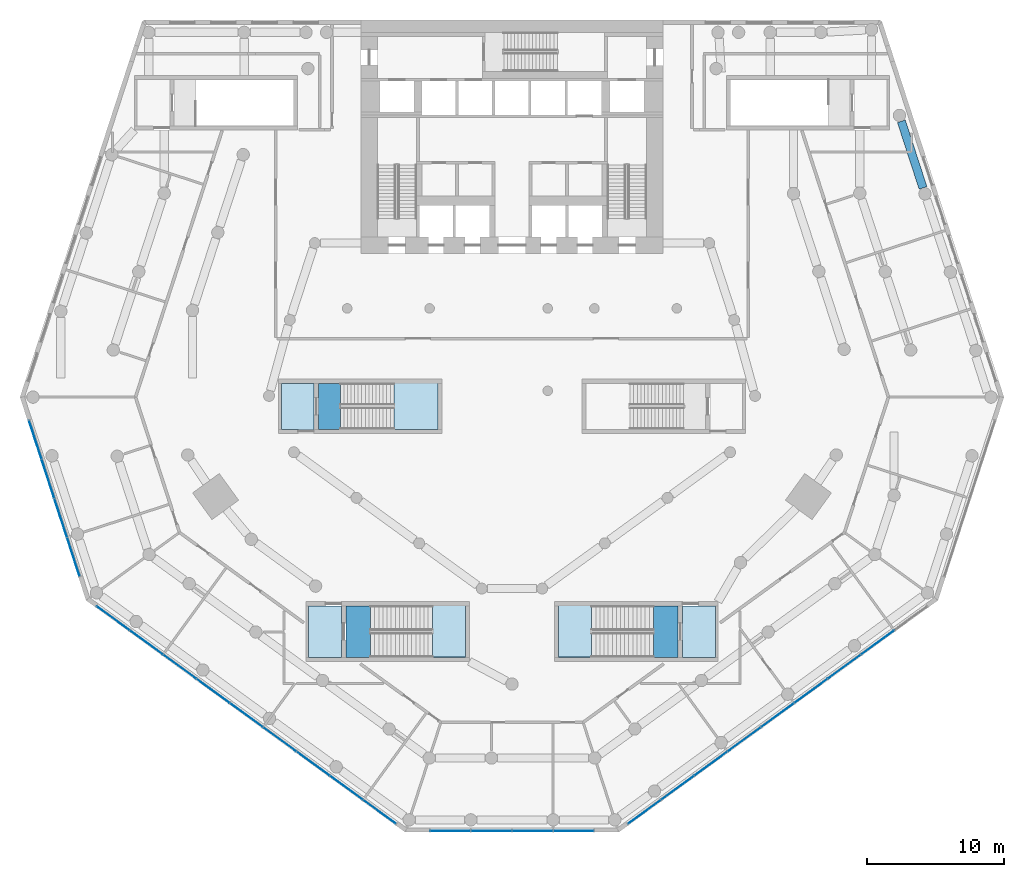
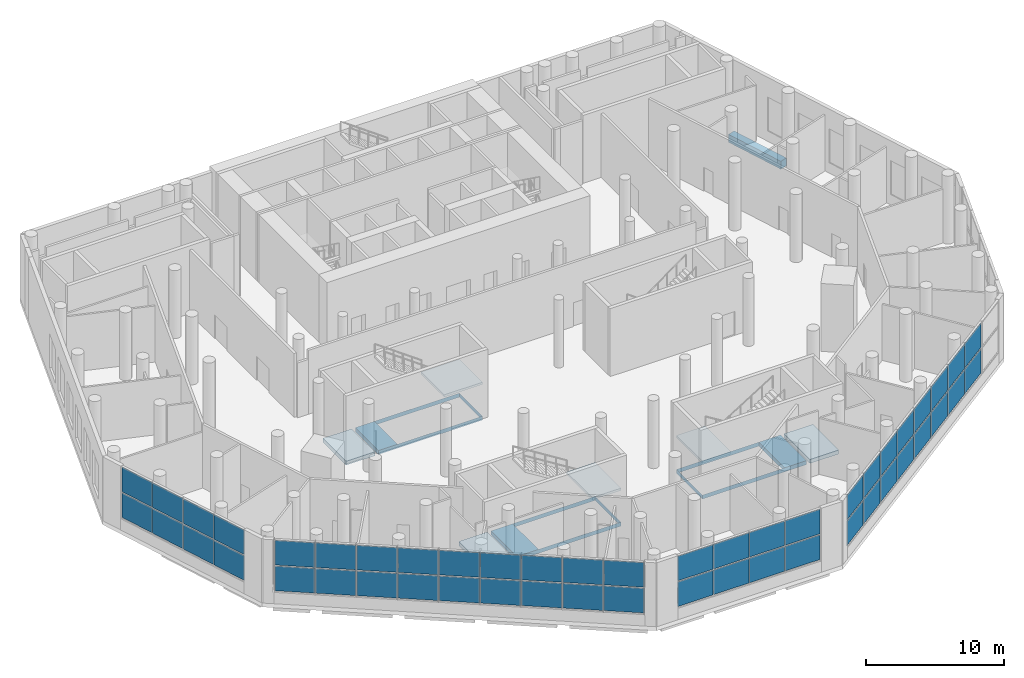
# One storey, part 8 of 19: 50 plates, 9 slabs, 1 beam, 7 elements without a shape of their own.
"""IFC4 building model written with IfcOpenShell, lengths in metres."""

from ifc_helpers import new_model, si_unit, direction, frame, origin, origin_2d, place, context, subcontext, project, spatial, polyline, rectangle, outline, extrude, material, layer, layer_set, material_profile, profile_set, type_object, element, aggregate, save


model = new_model("IFC4")

# Units and contexts
model_context = context("Model", 3, precision=1e-05, world=origin(), true_north=direction((0.0, 1.0)))
body_context = subcontext(model_context, "Body", "Model", "MODEL_VIEW")
ifc_project = project(units=[si_unit("LENGTHUNIT", "METRE"), si_unit("AREAUNIT", "SQUARE_METRE"), si_unit("VOLUMEUNIT", "CUBIC_METRE"), si_unit("PLANEANGLEUNIT", "RADIAN"), si_unit("MASSUNIT", "GRAM", prefix="KILO")], contexts=[model_context])

# Site, building, storey
site_placement = place(None, origin())
site = spatial("IfcSite", under=ifc_project, at=site_placement, CompositionType="ELEMENT")
building_placement = place(site_placement, origin())
building = spatial("IfcBuilding", under=site, at=building_placement, Name="White Candle Pilgrim Tower", CompositionType="ELEMENT")
storey_placement = place(building_placement, frame((0.0, 0.0, 23.0)))
storey = spatial("IfcBuildingStorey", under=building, at=storey_placement, Name="L03", CompositionType="ELEMENT", Elevation=23.0)

# Beam
ifc_material_1 = material(Name="Concrete C50/60", Category="concrete")
ifc_material_profile = material_profile(ifc_material_1, rectangle(XDim=0.60009765625, YDim=0.699951171875, at=origin_2d()), Name="RC-BM 600x700")
ifc_profile_set = profile_set([ifc_material_profile], Name="Concrete C50/60")
beam_type = type_object("IfcBeamType", Name="Spandrel beam RC-BM 600x700 C50/60", PredefinedType="BEAM", material=ifc_profile_set)
beam_placement = place(storey_placement, frame((99.926025390625, 75.773681640625, -0.699951171875), z_axis=(-0.308995149369, 0.95106361389, 0.0), x_axis=(-0.95106361389, -0.308995149369, 0.0)))
element("IfcBeam", 1, at=beam_placement, inside=storey, type_object=beam_type, Name="L03 spandrel beam B21", PredefinedType="BEAM", context=body_context, shape_type="SweptSolid", body=[
    extrude(rectangle(XDim=0.60009765625, YDim=0.699951171875, at=origin_2d()), origin(), (0.0, 0.0, 1.0), 5.10009765625),
])

# Curtain wall, plates
ifc_material_2 = material(Name="Aluminium and glass", Category="aluminium")
curtain_wall_type = type_object("IfcCurtainWallType", Name="Curtain wall CW2 prayer hall clerestory", PredefinedType="NOTDEFINED", material=ifc_material_2)
curtain_wall_1_placement = place(storey_placement, origin())
curtain_wall_1 = element("IfcCurtainWall", 2, at=curtain_wall_1_placement, inside=storey, type_object=curtain_wall_type, Name="Curtain wall CW2 L03 W chamfer", PredefinedType="NOTDEFINED")
ifc_material_3 = material(Name="Glass, triple glazed", Category="glass")
ifc_layer_1 = layer(ifc_material_3, 0.035888671875)
ifc_layer_set_1 = layer_set([ifc_layer_1], Name="CW2 glazing panel 36")
plate_type = type_object("IfcPlateType", Name="CW2 glazing panel 36", PredefinedType="CURTAIN_PANEL", material=ifc_layer_set_1)
plate_1_placement = place(storey_placement, frame((35.289306640625, 57.440185546875, 1.10009765625), z_axis=(0.0, 0.0, 1.0), x_axis=(0.309017000085, -0.95105651444, 0.0)))
plate_1 = element("IfcPlate", 3, at=plate_1_placement, type_object=plate_type, Name="CW2 panel 1.1", PredefinedType="CURTAIN_PANEL", context=body_context, shape_type="SweptSolid", body=[
    extrude(rectangle(XDim=2.925048828125, YDim=0.035888671875, at=origin_2d()), origin(), (0.0, 0.0, 1.0), 2.175048828125),
])
plate_2_placement = place(storey_placement, frame((35.289306640625, 57.440185546875, 3.375), z_axis=(0.0, 0.0, 1.0), x_axis=(0.309017000085, -0.95105651444, 0.0)))
plate_2 = element("IfcPlate", 4, at=plate_2_placement, type_object=plate_type, Name="CW2 panel 1.2", PredefinedType="CURTAIN_PANEL", context=body_context, shape_type="SweptSolid", body=[
    extrude(rectangle(XDim=2.925048828125, YDim=0.035888671875, at=origin_2d()), origin(), (0.0, 0.0, 1.0), 2.175048828125),
])
plate_3_placement = place(storey_placement, frame((36.21240234375, 54.598876953125, 1.10009765625), z_axis=(0.0, 0.0, 1.0), x_axis=(0.309017000085, -0.95105651444, 0.0)))
plate_3 = element("IfcPlate", 5, at=plate_3_placement, type_object=plate_type, Name="CW2 panel 2.1", PredefinedType="CURTAIN_PANEL", context=body_context, shape_type="SweptSolid", body=[
    extrude(rectangle(XDim=2.949951171875, YDim=0.035888671875, at=origin_2d()), origin(), (0.0, 0.0, 1.0), 2.175048828125),
])
plate_4_placement = place(storey_placement, frame((36.21240234375, 54.598876953125, 3.375), z_axis=(0.0, 0.0, 1.0), x_axis=(0.309017000085, -0.95105651444, 0.0)))
plate_4 = element("IfcPlate", 6, at=plate_4_placement, type_object=plate_type, Name="CW2 panel 2.2", PredefinedType="CURTAIN_PANEL", context=body_context, shape_type="SweptSolid", body=[
    extrude(rectangle(XDim=2.949951171875, YDim=0.035888671875, at=origin_2d()), origin(), (0.0, 0.0, 1.0), 2.175048828125),
])
plate_5_placement = place(storey_placement, frame((37.1396484375, 51.745849609375, 1.10009765625), z_axis=(0.0, 0.0, 1.0), x_axis=(0.309017000085, -0.95105651444, 0.0)))
plate_5 = element("IfcPlate", 7, at=plate_5_placement, type_object=plate_type, Name="CW2 panel 3.1", PredefinedType="CURTAIN_PANEL", context=body_context, shape_type="SweptSolid", body=[
    extrude(rectangle(XDim=2.949951171875, YDim=0.035888671875, at=origin_2d()), origin(), (0.0, 0.0, 1.0), 2.175048828125),
])
plate_6_placement = place(storey_placement, frame((37.1396484375, 51.745849609375, 3.375), z_axis=(0.0, 0.0, 1.0), x_axis=(0.309017000085, -0.95105651444, 0.0)))
plate_6 = element("IfcPlate", 8, at=plate_6_placement, type_object=plate_type, Name="CW2 panel 3.2", PredefinedType="CURTAIN_PANEL", context=body_context, shape_type="SweptSolid", body=[
    extrude(rectangle(XDim=2.949951171875, YDim=0.035888671875, at=origin_2d()), origin(), (0.0, 0.0, 1.0), 2.175048828125),
])
plate_7_placement = place(storey_placement, frame((38.062744140625, 48.904541015625, 1.10009765625), z_axis=(0.0, 0.0, 1.0), x_axis=(0.309017000085, -0.95105651444, 0.0)))
plate_7 = element("IfcPlate", 9, at=plate_7_placement, type_object=plate_type, Name="CW2 panel 4.1", PredefinedType="CURTAIN_PANEL", context=body_context, shape_type="SweptSolid", body=[
    extrude(rectangle(XDim=2.925048828125, YDim=0.035888671875, at=origin_2d()), origin(), (0.0, 0.0, 1.0), 2.175048828125),
])
plate_8_placement = place(storey_placement, frame((38.062744140625, 48.904541015625, 3.375), z_axis=(0.0, 0.0, 1.0), x_axis=(0.309017000085, -0.95105651444, 0.0)))
plate_8 = element("IfcPlate", 10, at=plate_8_placement, type_object=plate_type, Name="CW2 panel 4.2", PredefinedType="CURTAIN_PANEL", context=body_context, shape_type="SweptSolid", body=[
    extrude(rectangle(XDim=2.925048828125, YDim=0.035888671875, at=origin_2d()), origin(), (0.0, 0.0, 1.0), 2.175048828125),
])
aggregate(curtain_wall_1, [plate_1, plate_2, plate_3, plate_4, plate_5, plate_6, plate_7, plate_8])

curtain_wall_2_placement = place(storey_placement, origin())
curtain_wall_2 = element("IfcCurtainWall", 11, at=curtain_wall_2_placement, inside=storey, type_object=curtain_wall_type, Name="Curtain wall CW2 L03 SW", PredefinedType="NOTDEFINED")
plate_9_placement = place(storey_placement, frame((40.9638671875, 44.429443359375, 1.10009765625), z_axis=(0.0, 0.0, 1.0), x_axis=(0.809016996488, -0.587785249384, 0.0)))
plate_9 = element("IfcPlate", 12, at=plate_9_placement, type_object=plate_type, Name="CW2 panel 1.1", PredefinedType="CURTAIN_PANEL", context=body_context, shape_type="SweptSolid", body=[
    extrude(rectangle(XDim=2.925048828125, YDim=0.035888671875, at=origin_2d()), origin(), (0.0, 0.0, 1.0), 2.175048828125),
])
plate_10_placement = place(storey_placement, frame((40.9638671875, 44.429443359375, 3.375), z_axis=(0.0, 0.0, 1.0), x_axis=(0.809016996488, -0.587785249384, 0.0)))
plate_10 = element("IfcPlate", 13, at=plate_10_placement, type_object=plate_type, Name="CW2 panel 1.2", PredefinedType="CURTAIN_PANEL", context=body_context, shape_type="SweptSolid", body=[
    extrude(rectangle(XDim=2.925048828125, YDim=0.035888671875, at=origin_2d()), origin(), (0.0, 0.0, 1.0), 2.175048828125),
])
plate_11_placement = place(storey_placement, frame((43.380615234375, 42.67333984375, 1.10009765625), z_axis=(0.0, 0.0, 1.0), x_axis=(0.809016996488, -0.587785249384, 0.0)))
plate_11 = element("IfcPlate", 14, at=plate_11_placement, type_object=plate_type, Name="CW2 panel 2.1", PredefinedType="CURTAIN_PANEL", context=body_context, shape_type="SweptSolid", body=[
    extrude(rectangle(XDim=2.949951171875, YDim=0.035888671875, at=origin_2d()), origin(), (0.0, 0.0, 1.0), 2.175048828125),
])
plate_12_placement = place(storey_placement, frame((43.380615234375, 42.67333984375, 3.375), z_axis=(0.0, 0.0, 1.0), x_axis=(0.809016996488, -0.587785249384, 0.0)))
plate_12 = element("IfcPlate", 15, at=plate_12_placement, type_object=plate_type, Name="CW2 panel 2.2", PredefinedType="CURTAIN_PANEL", context=body_context, shape_type="SweptSolid", body=[
    extrude(rectangle(XDim=2.949951171875, YDim=0.035888671875, at=origin_2d()), origin(), (0.0, 0.0, 1.0), 2.175048828125),
])
plate_13_placement = place(storey_placement, frame((45.807861328125, 40.91015625, 1.10009765625), z_axis=(0.0, 0.0, 1.0), x_axis=(0.809016996488, -0.587785249384, 0.0)))
plate_13 = element("IfcPlate", 16, at=plate_13_placement, type_object=plate_type, Name="CW2 panel 3.1", PredefinedType="CURTAIN_PANEL", context=body_context, shape_type="SweptSolid", body=[
    extrude(rectangle(XDim=2.949951171875, YDim=0.035888671875, at=origin_2d()), origin(), (0.0, 0.0, 1.0), 2.175048828125),
])
plate_14_placement = place(storey_placement, frame((45.807861328125, 40.91015625, 3.375), z_axis=(0.0, 0.0, 1.0), x_axis=(0.809016996488, -0.587785249384, 0.0)))
plate_14 = element("IfcPlate", 17, at=plate_14_placement, type_object=plate_type, Name="CW2 panel 3.2", PredefinedType="CURTAIN_PANEL", context=body_context, shape_type="SweptSolid", body=[
    extrude(rectangle(XDim=2.949951171875, YDim=0.035888671875, at=origin_2d()), origin(), (0.0, 0.0, 1.0), 2.175048828125),
])
plate_15_placement = place(storey_placement, frame((48.23486328125, 39.146728515625, 1.10009765625), z_axis=(0.0, 0.0, 1.0), x_axis=(0.809016996488, -0.587785249384, 0.0)))
plate_15 = element("IfcPlate", 18, at=plate_15_placement, type_object=plate_type, Name="CW2 panel 4.1", PredefinedType="CURTAIN_PANEL", context=body_context, shape_type="SweptSolid", body=[
    extrude(rectangle(XDim=2.949951171875, YDim=0.035888671875, at=origin_2d()), origin(), (0.0, 0.0, 1.0), 2.175048828125),
])
plate_16_placement = place(storey_placement, frame((48.23486328125, 39.146728515625, 3.375), z_axis=(0.0, 0.0, 1.0), x_axis=(0.809016996488, -0.587785249384, 0.0)))
plate_16 = element("IfcPlate", 19, at=plate_16_placement, type_object=plate_type, Name="CW2 panel 4.2", PredefinedType="CURTAIN_PANEL", context=body_context, shape_type="SweptSolid", body=[
    extrude(rectangle(XDim=2.949951171875, YDim=0.035888671875, at=origin_2d()), origin(), (0.0, 0.0, 1.0), 2.175048828125),
])
plate_17_placement = place(storey_placement, frame((50.661865234375, 37.38330078125, 1.10009765625), z_axis=(0.0, 0.0, 1.0), x_axis=(0.809016996488, -0.587785249384, 0.0)))
plate_17 = element("IfcPlate", 20, at=plate_17_placement, type_object=plate_type, Name="CW2 panel 5.1", PredefinedType="CURTAIN_PANEL", context=body_context, shape_type="SweptSolid", body=[
    extrude(rectangle(XDim=2.949951171875, YDim=0.035888671875, at=origin_2d()), origin(), (0.0, 0.0, 1.0), 2.175048828125),
])
plate_18_placement = place(storey_placement, frame((50.661865234375, 37.38330078125, 3.375), z_axis=(0.0, 0.0, 1.0), x_axis=(0.809016996488, -0.587785249384, 0.0)))
plate_18 = element("IfcPlate", 21, at=plate_18_placement, type_object=plate_type, Name="CW2 panel 5.2", PredefinedType="CURTAIN_PANEL", context=body_context, shape_type="SweptSolid", body=[
    extrude(rectangle(XDim=2.949951171875, YDim=0.035888671875, at=origin_2d()), origin(), (0.0, 0.0, 1.0), 2.175048828125),
])
plate_19_placement = place(storey_placement, frame((53.0888671875, 35.619873046875, 1.10009765625), z_axis=(0.0, 0.0, 1.0), x_axis=(0.809016996488, -0.587785249384, 0.0)))
plate_19 = element("IfcPlate", 22, at=plate_19_placement, type_object=plate_type, Name="CW2 panel 6.1", PredefinedType="CURTAIN_PANEL", context=body_context, shape_type="SweptSolid", body=[
    extrude(rectangle(XDim=2.949951171875, YDim=0.035888671875, at=origin_2d()), origin(), (0.0, 0.0, 1.0), 2.175048828125),
])
plate_20_placement = place(storey_placement, frame((53.0888671875, 35.619873046875, 3.375), z_axis=(0.0, 0.0, 1.0), x_axis=(0.809016996488, -0.587785249384, 0.0)))
plate_20 = element("IfcPlate", 23, at=plate_20_placement, type_object=plate_type, Name="CW2 panel 6.2", PredefinedType="CURTAIN_PANEL", context=body_context, shape_type="SweptSolid", body=[
    extrude(rectangle(XDim=2.949951171875, YDim=0.035888671875, at=origin_2d()), origin(), (0.0, 0.0, 1.0), 2.175048828125),
])
plate_21_placement = place(storey_placement, frame((55.515869140625, 33.856689453125, 1.10009765625), z_axis=(0.0, 0.0, 1.0), x_axis=(0.809016996488, -0.587785249384, 0.0)))
plate_21 = element("IfcPlate", 24, at=plate_21_placement, type_object=plate_type, Name="CW2 panel 7.1", PredefinedType="CURTAIN_PANEL", context=body_context, shape_type="SweptSolid", body=[
    extrude(rectangle(XDim=2.949951171875, YDim=0.035888671875, at=origin_2d()), origin(), (0.0, 0.0, 1.0), 2.175048828125),
])
plate_22_placement = place(storey_placement, frame((55.515869140625, 33.856689453125, 3.375), z_axis=(0.0, 0.0, 1.0), x_axis=(0.809016996488, -0.587785249384, 0.0)))
plate_22 = element("IfcPlate", 25, at=plate_22_placement, type_object=plate_type, Name="CW2 panel 7.2", PredefinedType="CURTAIN_PANEL", context=body_context, shape_type="SweptSolid", body=[
    extrude(rectangle(XDim=2.949951171875, YDim=0.035888671875, at=origin_2d()), origin(), (0.0, 0.0, 1.0), 2.175048828125),
])
plate_23_placement = place(storey_placement, frame((57.943115234375, 32.09326171875, 1.10009765625), z_axis=(0.0, 0.0, 1.0), x_axis=(0.809016996488, -0.587785249384, 0.0)))
plate_23 = element("IfcPlate", 26, at=plate_23_placement, type_object=plate_type, Name="CW2 panel 8.1", PredefinedType="CURTAIN_PANEL", context=body_context, shape_type="SweptSolid", body=[
    extrude(rectangle(XDim=2.949951171875, YDim=0.035888671875, at=origin_2d()), origin(), (0.0, 0.0, 1.0), 2.175048828125),
])
plate_24_placement = place(storey_placement, frame((57.943115234375, 32.09326171875, 3.375), z_axis=(0.0, 0.0, 1.0), x_axis=(0.809016996488, -0.587785249384, 0.0)))
plate_24 = element("IfcPlate", 27, at=plate_24_placement, type_object=plate_type, Name="CW2 panel 8.2", PredefinedType="CURTAIN_PANEL", context=body_context, shape_type="SweptSolid", body=[
    extrude(rectangle(XDim=2.949951171875, YDim=0.035888671875, at=origin_2d()), origin(), (0.0, 0.0, 1.0), 2.175048828125),
])
plate_25_placement = place(storey_placement, frame((60.35986328125, 30.337158203125, 1.10009765625), z_axis=(0.0, 0.0, 1.0), x_axis=(0.809016996488, -0.587785249384, 0.0)))
plate_25 = element("IfcPlate", 28, at=plate_25_placement, type_object=plate_type, Name="CW2 panel 9.1", PredefinedType="CURTAIN_PANEL", context=body_context, shape_type="SweptSolid", body=[
    extrude(rectangle(XDim=2.925048828125, YDim=0.035888671875, at=origin_2d()), origin(), (0.0, 0.0, 1.0), 2.175048828125),
])
plate_26_placement = place(storey_placement, frame((60.35986328125, 30.337158203125, 3.375), z_axis=(0.0, 0.0, 1.0), x_axis=(0.809016996488, -0.587785249384, 0.0)))
plate_26 = element("IfcPlate", 29, at=plate_26_placement, type_object=plate_type, Name="CW2 panel 9.2", PredefinedType="CURTAIN_PANEL", context=body_context, shape_type="SweptSolid", body=[
    extrude(rectangle(XDim=2.925048828125, YDim=0.035888671875, at=origin_2d()), origin(), (0.0, 0.0, 1.0), 2.175048828125),
])
aggregate(curtain_wall_2, [plate_9, plate_10, plate_11, plate_12, plate_13, plate_14, plate_15, plate_16, plate_17, plate_18, plate_19, plate_20, plate_21, plate_22, plate_23, plate_24, plate_25, plate_26])

curtain_wall_3_placement = place(storey_placement, origin())
curtain_wall_3 = element("IfcCurtainWall", 30, at=curtain_wall_3_placement, inside=storey, type_object=curtain_wall_type, Name="Curtain wall CW2 L03 S chamfer", PredefinedType="NOTDEFINED")
plate_27_placement = place(storey_placement, frame((65.512451171875, 28.961181640625, 1.10009765625), z_axis=(0.0, 0.0, 1.0), x_axis=(1.0, 0.0, 0.0)))
plate_27 = element("IfcPlate", 31, at=plate_27_placement, type_object=plate_type, Name="CW2 panel 1.1", PredefinedType="CURTAIN_PANEL", context=body_context, shape_type="SweptSolid", body=[
    extrude(rectangle(XDim=2.925048828125, YDim=0.035888671875, at=origin_2d()), origin(), (0.0, 0.0, 1.0), 2.175048828125),
])
plate_28_placement = place(storey_placement, frame((65.512451171875, 28.961181640625, 3.375), z_axis=(0.0, 0.0, 1.0), x_axis=(1.0, 0.0, 0.0)))
plate_28 = element("IfcPlate", 32, at=plate_28_placement, type_object=plate_type, Name="CW2 panel 1.2", PredefinedType="CURTAIN_PANEL", context=body_context, shape_type="SweptSolid", body=[
    extrude(rectangle(XDim=2.925048828125, YDim=0.035888671875, at=origin_2d()), origin(), (0.0, 0.0, 1.0), 2.175048828125),
])
plate_29_placement = place(storey_placement, frame((68.5, 28.961181640625, 1.10009765625), z_axis=(0.0, 0.0, 1.0), x_axis=(1.0, 0.0, 0.0)))
plate_29 = element("IfcPlate", 33, at=plate_29_placement, type_object=plate_type, Name="CW2 panel 2.1", PredefinedType="CURTAIN_PANEL", context=body_context, shape_type="SweptSolid", body=[
    extrude(rectangle(XDim=2.949951171875, YDim=0.035888671875, at=origin_2d()), origin(), (0.0, 0.0, 1.0), 2.175048828125),
])
plate_30_placement = place(storey_placement, frame((68.5, 28.961181640625, 3.375), z_axis=(0.0, 0.0, 1.0), x_axis=(1.0, 0.0, 0.0)))
plate_30 = element("IfcPlate", 34, at=plate_30_placement, type_object=plate_type, Name="CW2 panel 2.2", PredefinedType="CURTAIN_PANEL", context=body_context, shape_type="SweptSolid", body=[
    extrude(rectangle(XDim=2.949951171875, YDim=0.035888671875, at=origin_2d()), origin(), (0.0, 0.0, 1.0), 2.175048828125),
])
plate_31_placement = place(storey_placement, frame((71.5, 28.961181640625, 1.10009765625), z_axis=(0.0, 0.0, 1.0), x_axis=(1.0, 0.0, 0.0)))
plate_31 = element("IfcPlate", 35, at=plate_31_placement, type_object=plate_type, Name="CW2 panel 3.1", PredefinedType="CURTAIN_PANEL", context=body_context, shape_type="SweptSolid", body=[
    extrude(rectangle(XDim=2.949951171875, YDim=0.035888671875, at=origin_2d()), origin(), (0.0, 0.0, 1.0), 2.175048828125),
])
plate_32_placement = place(storey_placement, frame((71.5, 28.961181640625, 3.375), z_axis=(0.0, 0.0, 1.0), x_axis=(1.0, 0.0, 0.0)))
plate_32 = element("IfcPlate", 36, at=plate_32_placement, type_object=plate_type, Name="CW2 panel 3.2", PredefinedType="CURTAIN_PANEL", context=body_context, shape_type="SweptSolid", body=[
    extrude(rectangle(XDim=2.949951171875, YDim=0.035888671875, at=origin_2d()), origin(), (0.0, 0.0, 1.0), 2.175048828125),
])
plate_33_placement = place(storey_placement, frame((74.487548828125, 28.961181640625, 1.10009765625), z_axis=(0.0, 0.0, 1.0), x_axis=(1.0, 0.0, 0.0)))
plate_33 = element("IfcPlate", 37, at=plate_33_placement, type_object=plate_type, Name="CW2 panel 4.1", PredefinedType="CURTAIN_PANEL", context=body_context, shape_type="SweptSolid", body=[
    extrude(rectangle(XDim=2.925048828125, YDim=0.035888671875, at=origin_2d()), origin(), (0.0, 0.0, 1.0), 2.175048828125),
])
plate_34_placement = place(storey_placement, frame((74.487548828125, 28.961181640625, 3.375), z_axis=(0.0, 0.0, 1.0), x_axis=(1.0, 0.0, 0.0)))
plate_34 = element("IfcPlate", 38, at=plate_34_placement, type_object=plate_type, Name="CW2 panel 4.2", PredefinedType="CURTAIN_PANEL", context=body_context, shape_type="SweptSolid", body=[
    extrude(rectangle(XDim=2.925048828125, YDim=0.035888671875, at=origin_2d()), origin(), (0.0, 0.0, 1.0), 2.175048828125),
])
aggregate(curtain_wall_3, [plate_27, plate_28, plate_29, plate_30, plate_31, plate_32, plate_33, plate_34])

curtain_wall_4_placement = place(storey_placement, origin())
curtain_wall_4 = element("IfcCurtainWall", 39, at=curtain_wall_4_placement, inside=storey, type_object=curtain_wall_type, Name="Curtain wall CW2 L03 SE", PredefinedType="NOTDEFINED")
plate_35_placement = place(storey_placement, frame((79.64013671875, 30.337158203125, 1.10009765625), z_axis=(0.0, 0.0, 1.0), x_axis=(0.809016996488, 0.587785249384, 0.0)))
plate_35 = element("IfcPlate", 40, at=plate_35_placement, type_object=plate_type, Name="CW2 panel 1.1", PredefinedType="CURTAIN_PANEL", context=body_context, shape_type="SweptSolid", body=[
    extrude(rectangle(XDim=2.925048828125, YDim=0.035888671875, at=origin_2d()), origin(), (0.0, 0.0, 1.0), 2.175048828125),
])
plate_36_placement = place(storey_placement, frame((79.64013671875, 30.337158203125, 3.375), z_axis=(0.0, 0.0, 1.0), x_axis=(0.809016996488, 0.587785249384, 0.0)))
plate_36 = element("IfcPlate", 41, at=plate_36_placement, type_object=plate_type, Name="CW2 panel 1.2", PredefinedType="CURTAIN_PANEL", context=body_context, shape_type="SweptSolid", body=[
    extrude(rectangle(XDim=2.925048828125, YDim=0.035888671875, at=origin_2d()), origin(), (0.0, 0.0, 1.0), 2.175048828125),
])
plate_37_placement = place(storey_placement, frame((82.056884765625, 32.09326171875, 1.10009765625), z_axis=(0.0, 0.0, 1.0), x_axis=(0.809016996488, 0.587785249384, 0.0)))
plate_37 = element("IfcPlate", 42, at=plate_37_placement, type_object=plate_type, Name="CW2 panel 2.1", PredefinedType="CURTAIN_PANEL", context=body_context, shape_type="SweptSolid", body=[
    extrude(rectangle(XDim=2.949951171875, YDim=0.035888671875, at=origin_2d()), origin(), (0.0, 0.0, 1.0), 2.175048828125),
])
plate_38_placement = place(storey_placement, frame((82.056884765625, 32.09326171875, 3.375), z_axis=(0.0, 0.0, 1.0), x_axis=(0.809016996488, 0.587785249384, 0.0)))
plate_38 = element("IfcPlate", 43, at=plate_38_placement, type_object=plate_type, Name="CW2 panel 2.2", PredefinedType="CURTAIN_PANEL", context=body_context, shape_type="SweptSolid", body=[
    extrude(rectangle(XDim=2.949951171875, YDim=0.035888671875, at=origin_2d()), origin(), (0.0, 0.0, 1.0), 2.175048828125),
])
plate_39_placement = place(storey_placement, frame((84.484130859375, 33.856689453125, 1.10009765625), z_axis=(0.0, 0.0, 1.0), x_axis=(0.809016996488, 0.587785249384, 0.0)))
plate_39 = element("IfcPlate", 44, at=plate_39_placement, type_object=plate_type, Name="CW2 panel 3.1", PredefinedType="CURTAIN_PANEL", context=body_context, shape_type="SweptSolid", body=[
    extrude(rectangle(XDim=2.949951171875, YDim=0.035888671875, at=origin_2d()), origin(), (0.0, 0.0, 1.0), 2.175048828125),
])
plate_40_placement = place(storey_placement, frame((84.484130859375, 33.856689453125, 3.375), z_axis=(0.0, 0.0, 1.0), x_axis=(0.809016996488, 0.587785249384, 0.0)))
plate_40 = element("IfcPlate", 45, at=plate_40_placement, type_object=plate_type, Name="CW2 panel 3.2", PredefinedType="CURTAIN_PANEL", context=body_context, shape_type="SweptSolid", body=[
    extrude(rectangle(XDim=2.949951171875, YDim=0.035888671875, at=origin_2d()), origin(), (0.0, 0.0, 1.0), 2.175048828125),
])
plate_41_placement = place(storey_placement, frame((86.9111328125, 35.619873046875, 1.10009765625), z_axis=(0.0, 0.0, 1.0), x_axis=(0.809016996488, 0.587785249384, 0.0)))
plate_41 = element("IfcPlate", 46, at=plate_41_placement, type_object=plate_type, Name="CW2 panel 4.1", PredefinedType="CURTAIN_PANEL", context=body_context, shape_type="SweptSolid", body=[
    extrude(rectangle(XDim=2.949951171875, YDim=0.035888671875, at=origin_2d()), origin(), (0.0, 0.0, 1.0), 2.175048828125),
])
plate_42_placement = place(storey_placement, frame((86.9111328125, 35.619873046875, 3.375), z_axis=(0.0, 0.0, 1.0), x_axis=(0.809016996488, 0.587785249384, 0.0)))
plate_42 = element("IfcPlate", 47, at=plate_42_placement, type_object=plate_type, Name="CW2 panel 4.2", PredefinedType="CURTAIN_PANEL", context=body_context, shape_type="SweptSolid", body=[
    extrude(rectangle(XDim=2.949951171875, YDim=0.035888671875, at=origin_2d()), origin(), (0.0, 0.0, 1.0), 2.175048828125),
])
plate_43_placement = place(storey_placement, frame((89.338134765625, 37.38330078125, 1.10009765625), z_axis=(0.0, 0.0, 1.0), x_axis=(0.809016996488, 0.587785249384, 0.0)))
plate_43 = element("IfcPlate", 48, at=plate_43_placement, type_object=plate_type, Name="CW2 panel 5.1", PredefinedType="CURTAIN_PANEL", context=body_context, shape_type="SweptSolid", body=[
    extrude(rectangle(XDim=2.949951171875, YDim=0.035888671875, at=origin_2d()), origin(), (0.0, 0.0, 1.0), 2.175048828125),
])
plate_44_placement = place(storey_placement, frame((89.338134765625, 37.38330078125, 3.375), z_axis=(0.0, 0.0, 1.0), x_axis=(0.809016996488, 0.587785249384, 0.0)))
plate_44 = element("IfcPlate", 49, at=plate_44_placement, type_object=plate_type, Name="CW2 panel 5.2", PredefinedType="CURTAIN_PANEL", context=body_context, shape_type="SweptSolid", body=[
    extrude(rectangle(XDim=2.949951171875, YDim=0.035888671875, at=origin_2d()), origin(), (0.0, 0.0, 1.0), 2.175048828125),
])
plate_45_placement = place(storey_placement, frame((91.76513671875, 39.146728515625, 1.10009765625), z_axis=(0.0, 0.0, 1.0), x_axis=(0.809016996488, 0.587785249384, 0.0)))
plate_45 = element("IfcPlate", 50, at=plate_45_placement, type_object=plate_type, Name="CW2 panel 6.1", PredefinedType="CURTAIN_PANEL", context=body_context, shape_type="SweptSolid", body=[
    extrude(rectangle(XDim=2.949951171875, YDim=0.035888671875, at=origin_2d()), origin(), (0.0, 0.0, 1.0), 2.175048828125),
])
plate_46_placement = place(storey_placement, frame((91.76513671875, 39.146728515625, 3.375), z_axis=(0.0, 0.0, 1.0), x_axis=(0.809016996488, 0.587785249384, 0.0)))
plate_46 = element("IfcPlate", 51, at=plate_46_placement, type_object=plate_type, Name="CW2 panel 6.2", PredefinedType="CURTAIN_PANEL", context=body_context, shape_type="SweptSolid", body=[
    extrude(rectangle(XDim=2.949951171875, YDim=0.035888671875, at=origin_2d()), origin(), (0.0, 0.0, 1.0), 2.175048828125),
])
plate_47_placement = place(storey_placement, frame((94.192138671875, 40.91015625, 1.10009765625), z_axis=(0.0, 0.0, 1.0), x_axis=(0.809016996488, 0.587785249384, 0.0)))
plate_47 = element("IfcPlate", 52, at=plate_47_placement, type_object=plate_type, Name="CW2 panel 7.1", PredefinedType="CURTAIN_PANEL", context=body_context, shape_type="SweptSolid", body=[
    extrude(rectangle(XDim=2.949951171875, YDim=0.035888671875, at=origin_2d()), origin(), (0.0, 0.0, 1.0), 2.175048828125),
])
plate_48_placement = place(storey_placement, frame((94.192138671875, 40.91015625, 3.375), z_axis=(0.0, 0.0, 1.0), x_axis=(0.809016996488, 0.587785249384, 0.0)))
plate_48 = element("IfcPlate", 53, at=plate_48_placement, type_object=plate_type, Name="CW2 panel 7.2", PredefinedType="CURTAIN_PANEL", context=body_context, shape_type="SweptSolid", body=[
    extrude(rectangle(XDim=2.949951171875, YDim=0.035888671875, at=origin_2d()), origin(), (0.0, 0.0, 1.0), 2.175048828125),
])
plate_49_placement = place(storey_placement, frame((96.619384765625, 42.67333984375, 1.10009765625), z_axis=(0.0, 0.0, 1.0), x_axis=(0.809016996488, 0.587785249384, 0.0)))
plate_49 = element("IfcPlate", 54, at=plate_49_placement, type_object=plate_type, Name="CW2 panel 8.1", PredefinedType="CURTAIN_PANEL", context=body_context, shape_type="SweptSolid", body=[
    extrude(rectangle(XDim=2.949951171875, YDim=0.035888671875, at=origin_2d()), origin(), (0.0, 0.0, 1.0), 2.175048828125),
])
plate_50_placement = place(storey_placement, frame((96.619384765625, 42.67333984375, 3.375), z_axis=(0.0, 0.0, 1.0), x_axis=(0.809016996488, 0.587785249384, 0.0)))
plate_50 = element("IfcPlate", 55, at=plate_50_placement, type_object=plate_type, Name="CW2 panel 8.2", PredefinedType="CURTAIN_PANEL", context=body_context, shape_type="SweptSolid", body=[
    extrude(rectangle(XDim=2.949951171875, YDim=0.035888671875, at=origin_2d()), origin(), (0.0, 0.0, 1.0), 2.175048828125),
])
aggregate(curtain_wall_4, [plate_35, plate_36, plate_37, plate_38, plate_39, plate_40, plate_41, plate_42, plate_43, plate_44, plate_45, plate_46, plate_47, plate_48, plate_49, plate_50])

# Slabs
ifc_material_4 = material(Name="Concrete C40/50", Category="concrete")
ifc_layer_2 = layer(ifc_material_4, 0.35009765625)
ifc_layer_set_2 = layer_set([ifc_layer_2], Name="Core floor slab 350 mm Concrete C40/50")
slab_type_1 = type_object("IfcSlabType", Name="Core floor slab 350 mm Concrete C40/50", PredefinedType="FLOOR", material=ifc_layer_set_2)
slab_1_placement = place(storey_placement, frame((0.0, 0.0, -0.35009765625)))
element("IfcSlab", 56, at=slab_1_placement, inside=storey, type_object=slab_type_1, Name="CF-L03-01", PredefinedType="FLOOR", context=body_context, shape_type="SweptSolid", body=[
    extrude(outline(polyline([(55.199951171875, 41.60009765625), (55.199951171875, 45.35009765625), (57.60009765625, 45.35009765625), (57.60009765625, 41.60009765625), (55.199951171875, 41.60009765625)])), origin(), (0.0, 0.0, 1.0), 0.35009765625),
])
slab_2_placement = place(storey_placement, frame((0.0, 0.0, -0.35009765625)))
element("IfcSlab", 57, at=slab_2_placement, inside=storey, type_object=slab_type_1, Name="CF-L03-02", PredefinedType="FLOOR", context=body_context, shape_type="SweptSolid", body=[
    extrude(outline(polyline([(57.89990234375, 45.35009765625), (66.60009765625, 45.35009765625), (66.60009765625, 41.60009765625), (57.89990234375, 41.60009765625), (57.89990234375, 45.35009765625)]), holes=[polyline([(59.701904296875, 45.347900390625), (59.701904296875, 41.60205078125), (66.597900390625, 41.60205078125), (66.597900390625, 45.347900390625), (59.701904296875, 45.347900390625)])]), origin(), (0.0, 0.0, 1.0), 0.35009765625),
])
slab_3_placement = place(storey_placement, frame((0.0, 0.0, -0.35009765625)))
element("IfcSlab", 58, at=slab_3_placement, inside=storey, type_object=slab_type_1, Name="CF-L03-03", PredefinedType="FLOOR", context=body_context, shape_type="SweptSolid", body=[
    extrude(outline(polyline([(53.199951171875, 61.550048828125), (55.60009765625, 61.550048828125), (55.60009765625, 58.199951171875), (53.199951171875, 58.199951171875), (53.199951171875, 61.550048828125)])), origin(), (0.0, 0.0, 1.0), 0.35009765625),
])
slab_4_placement = place(storey_placement, frame((0.0, 0.0, -0.35009765625)))
element("IfcSlab", 59, at=slab_4_placement, inside=storey, type_object=slab_type_1, Name="CF-L03-04", PredefinedType="FLOOR", context=body_context, shape_type="SweptSolid", body=[
    extrude(outline(polyline([(55.89990234375, 61.550048828125), (64.60009765625, 61.550048828125), (64.60009765625, 58.199951171875), (55.89990234375, 58.199951171875), (55.89990234375, 61.550048828125)]), holes=[polyline([(57.501953125, 61.548095703125), (57.501953125, 58.201904296875), (64.597900390625, 58.201904296875), (64.597900390625, 61.548095703125), (57.501953125, 61.548095703125)])]), origin(), (0.0, 0.0, 1.0), 0.35009765625),
])
slab_5_placement = place(storey_placement, frame((0.0, 0.0, -0.35009765625)))
element("IfcSlab", 60, at=slab_5_placement, inside=storey, type_object=slab_type_1, Name="CF-L03-13", PredefinedType="FLOOR", context=body_context, shape_type="SweptSolid", body=[
    extrude(outline(polyline([(73.39990234375, 41.60009765625), (73.39990234375, 45.35009765625), (82.10009765625, 45.35009765625), (82.10009765625, 41.60009765625), (73.39990234375, 41.60009765625)]), holes=[polyline([(73.402099609375, 41.60205078125), (80.298095703125, 41.60205078125), (80.298095703125, 45.347900390625), (73.402099609375, 45.347900390625), (73.402099609375, 41.60205078125)])]), origin(), (0.0, 0.0, 1.0), 0.35009765625),
])
slab_6_placement = place(storey_placement, frame((0.0, 0.0, -0.35009765625)))
element("IfcSlab", 61, at=slab_6_placement, inside=storey, type_object=slab_type_1, Name="CF-L03-14", PredefinedType="FLOOR", context=body_context, shape_type="SweptSolid", body=[
    extrude(outline(polyline([(84.800048828125, 41.60009765625), (82.39990234375, 41.60009765625), (82.39990234375, 45.35009765625), (84.800048828125, 45.35009765625), (84.800048828125, 41.60009765625)])), origin(), (0.0, 0.0, 1.0), 0.35009765625),
])

# Stair, slab
stair_type_1 = type_object("IfcStairType", Name="Exit stair 5 flight width 1600 mm", PredefinedType="HALF_TURN_STAIR", material=ifc_material_4)
stair_1_placement = place(storey_placement, origin())
stair_1 = element("IfcStair", 62, at=stair_1_placement, inside=storey, type_object=stair_type_1, Name="L03 stair 5", PredefinedType="NOTDEFINED")
ifc_layer_3 = layer(ifc_material_4, 0.199951171875)
ifc_layer_set_3 = layer_set([ifc_layer_3], Name="Stair landing Concrete C40/50")
slab_type_2 = type_object("IfcSlabType", Name="Stair landing Concrete C40/50", PredefinedType="LANDING", material=ifc_layer_set_3)
slab_7_placement = place(storey_placement, frame((0.0, 0.0, 2.800048828125)))
slab_7 = element("IfcSlab", 63, at=slab_7_placement, type_object=slab_type_2, Name="ST5 landing 1", PredefinedType="LANDING", context=body_context, shape_type="SweptSolid", body=[
    extrude(outline(polyline([(61.39794921875, 58.197998046875), (61.39794921875, 61.552001953125), (64.60205078125, 61.552001953125), (64.60205078125, 58.197998046875), (61.39794921875, 58.197998046875)])), origin(), (0.0, 0.0, 1.0), 0.199951171875),
])
aggregate(stair_1, [slab_7])

stair_type_2 = type_object("IfcStairType", Name="Exit stair 6 flight width 1800 mm", PredefinedType="HALF_TURN_STAIR", material=ifc_material_4)
stair_2_placement = place(storey_placement, origin())
stair_2 = element("IfcStair", 64, at=stair_2_placement, inside=storey, type_object=stair_type_2, Name="L03 stair 6", PredefinedType="NOTDEFINED")
slab_8_placement = place(storey_placement, frame((0.0, 0.0, 2.800048828125)))
slab_8 = element("IfcSlab", 65, at=slab_8_placement, type_object=slab_type_2, Name="ST6 landing 1", PredefinedType="LANDING", context=body_context, shape_type="SweptSolid", body=[
    extrude(outline(polyline([(64.197998046875, 41.597900390625), (64.197998046875, 45.35205078125), (66.60205078125, 45.35205078125), (66.60205078125, 41.597900390625), (64.197998046875, 41.597900390625)])), origin(), (0.0, 0.0, 1.0), 0.199951171875),
])
aggregate(stair_2, [slab_8])

stair_type_3 = type_object("IfcStairType", Name="Exit stair 7 flight width 1800 mm", PredefinedType="HALF_TURN_STAIR", material=ifc_material_4)
stair_3_placement = place(storey_placement, origin())
stair_3 = element("IfcStair", 66, at=stair_3_placement, inside=storey, type_object=stair_type_3, Name="L03 stair 7", PredefinedType="NOTDEFINED")
slab_9_placement = place(storey_placement, frame((0.0, 0.0, 2.800048828125)))
slab_9 = element("IfcSlab", 67, at=slab_9_placement, type_object=slab_type_2, Name="ST7 landing 1", PredefinedType="LANDING", context=body_context, shape_type="SweptSolid", body=[
    extrude(outline(polyline([(75.802001953125, 45.35205078125), (75.802001953125, 41.597900390625), (73.39794921875, 41.597900390625), (73.39794921875, 45.35205078125), (75.802001953125, 45.35205078125)])), origin(), (0.0, 0.0, 1.0), 0.199951171875),
])
aggregate(stair_3, [slab_9])

save(model, "model.ifc")
